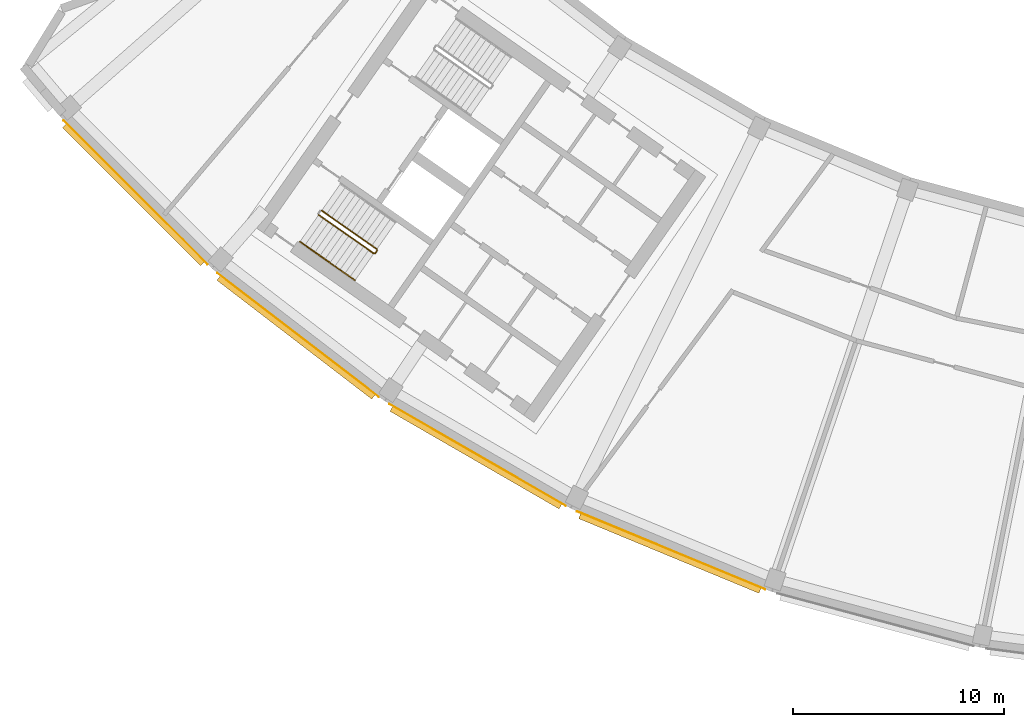
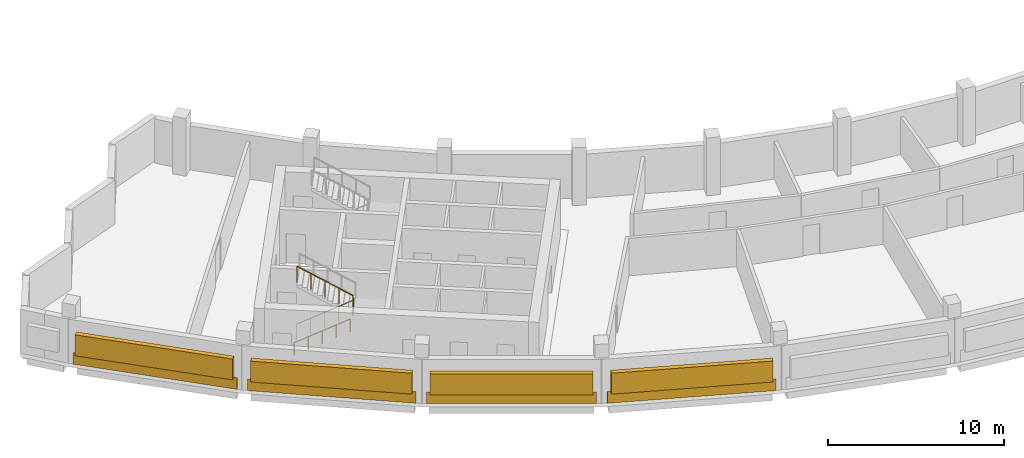
# One storey, part 8 of 11: 4 coverings, 4 shading devices, 3 railings.
"""IFC4 building model written with IfcOpenShell, lengths in metres."""

from ifc_helpers import new_model, si_unit, direction, frame, origin, origin_2d, place, context, subcontext, project, spatial, rectangle, circle, extrude, material, layer, layer_set, type_object, element, save


model = new_model("IFC4")

# Units and contexts
model_context = context("Model", 3, precision=1e-05, world=origin(), true_north=direction((0.0, 1.0)))
body_context = subcontext(model_context, "Body", "Model", "MODEL_VIEW")
ifc_project = project(units=[si_unit("LENGTHUNIT", "METRE"), si_unit("AREAUNIT", "SQUARE_METRE"), si_unit("VOLUMEUNIT", "CUBIC_METRE"), si_unit("PLANEANGLEUNIT", "RADIAN"), si_unit("MASSUNIT", "GRAM", prefix="KILO")], contexts=[model_context])

# Site, building, storey
site_placement = place(None, origin())
site = spatial("IfcSite", under=ifc_project, at=site_placement, CompositionType="ELEMENT")
building_placement = place(site_placement, origin())
building = spatial("IfcBuilding", under=site, at=building_placement, Name="Qamariyya Broadcast Tower", CompositionType="ELEMENT")
storey_placement = place(building_placement, frame((0.0, 0.0, 314.699951171875)))
storey = spatial("IfcBuildingStorey", under=building, at=storey_placement, Name="L76", CompositionType="ELEMENT", Elevation=314.699951171875)

# Railings
ifc_material_1 = material(Name="Painted steel", Category="steel")
railing_type_1 = type_object("IfcRailingType", Name="Stair guard", PredefinedType="GUARDRAIL", material=ifc_material_1)
railing_1_placement = place(storey_placement, frame((-46.624267578125, -56.34765625, 0.166748046875)))
element("IfcRailing", 1, at=railing_1_placement, inside=storey, type_object=railing_type_1, Name="L76 ST-W1 stair guard 1", PredefinedType="GUARDRAIL", context=body_context, shape_type="SweptSolid", body=[
    extrude(circle(Radius=0.02392578125, at=origin_2d()), frame((0.0, 0.0, 1.076171875), z_axis=(0.710204256923, -0.497335411159, 0.498264389913), x_axis=(0.573611290809, 0.819127637829, 0.0)), (0.0, 0.0, 1.0), 3.67919921875),
    extrude(circle(Radius=0.02392578125, at=origin_2d()), frame((2.613037109375, -1.829833984375, 2.9091796875), z_axis=(0.984957024646, 0.172799478008, 0.0), x_axis=(-0.172799478008, 0.984957024646, 0.0)), (0.0, 0.0, 1.0), 0.070556640625),
    extrude(circle(Radius=0.02392578125, at=origin_2d()), frame((2.6826171875, -1.817626953125, 2.9091796875), z_axis=(0.57368046593, 0.819079192149, 0.0), x_axis=(-0.819079192149, 0.57368046593, 0.0)), (0.0, 0.0, 1.0), 0.150146484375),
    extrude(circle(Radius=0.02099609375, at=origin_2d()), origin(), (0.0, 0.0, 1.0), 1.052001953125),
    extrude(circle(Radius=0.02099609375, at=origin_2d()), frame((0.6533203125, -0.45751953125, 0.458251953125)), (0.0, 0.0, 1.0), 1.052001953125),
    extrude(circle(Radius=0.02099609375, at=origin_2d()), frame((1.306640625, -0.9150390625, 0.91650390625)), (0.0, 0.0, 1.0), 1.052001953125),
    extrude(circle(Radius=0.02099609375, at=origin_2d()), frame((1.959716796875, -1.372314453125, 1.375)), (0.0, 0.0, 1.0), 1.052001953125),
    extrude(circle(Radius=0.02099609375, at=origin_2d()), frame((2.613037109375, -1.829833984375, 1.833251953125)), (0.0, 0.0, 1.0), 1.052001953125),
    extrude(circle(Radius=0.02099609375, at=origin_2d()), frame((2.6826171875, -1.817626953125, 1.833251953125)), (0.0, 0.0, 1.0), 1.052001953125),
    extrude(circle(Radius=0.02099609375, at=origin_2d()), frame((2.768798828125, -1.694580078125, 1.833251953125)), (0.0, 0.0, 1.0), 1.052001953125),
])
railing_2_placement = place(storey_placement, frame((-43.867919921875, -57.97265625, 2.166748046875)))
element("IfcRailing", 2, at=railing_2_placement, inside=storey, type_object=railing_type_1, Name="L76 ST-W1 stair guard 2", PredefinedType="GUARDRAIL", context=body_context, shape_type="SweptSolid", body=[
    extrude(circle(Radius=0.02392578125, at=origin_2d()), frame((0.0, 0.0, 1.076171875), z_axis=(-0.710227693972, 0.497285465629, 0.498280832854), x_axis=(-0.573559936391, -0.819163597438, 0.0)), (0.0, 0.0, 1.0), 3.67919921875),
    extrude(circle(Radius=0.02099609375, at=origin_2d()), origin(), (0.0, 0.0, 1.0), 1.052001953125),
    extrude(circle(Radius=0.02099609375, at=origin_2d()), frame((-0.6533203125, 0.45751953125, 0.458251953125)), (0.0, 0.0, 1.0), 1.052001953125),
    extrude(circle(Radius=0.02099609375, at=origin_2d()), frame((-1.306640625, 0.914794921875, 0.91650390625)), (0.0, 0.0, 1.0), 1.052001953125),
    extrude(circle(Radius=0.02099609375, at=origin_2d()), frame((-1.959716796875, 1.3720703125, 1.375)), (0.0, 0.0, 1.0), 1.052001953125),
    extrude(circle(Radius=0.02099609375, at=origin_2d()), frame((-2.613037109375, 1.82958984375, 1.833251953125)), (0.0, 0.0, 1.0), 1.052001953125),
])
ifc_material_2 = material(Name="Stainless steel", Category="steel")
railing_type_2 = type_object("IfcRailingType", Name="Stair handrail", PredefinedType="HANDRAIL", material=ifc_material_2)
railing_3_placement = place(storey_placement, frame((-47.513427734375, -57.617431640625, 0.166748046875)))
element("IfcRailing", 3, at=railing_3_placement, inside=storey, type_object=railing_type_2, Name="L76 ST-W1 stair handrail 1", PredefinedType="HANDRAIL", context=body_context, shape_type="SweptSolid", body=[
    extrude(circle(Radius=0.02392578125, at=origin_2d()), frame((0.0, 0.0, 0.8759765625), z_axis=(0.710204256923, -0.497335411159, 0.498264389913), x_axis=(0.573611290809, 0.819127637829, 0.0)), (0.0, 0.0, 1.0), 3.67919921875),
    extrude(circle(Radius=0.02099609375, at=origin_2d()), origin(), (0.0, 0.0, 1.0), 0.851806640625),
    extrude(circle(Radius=0.02099609375, at=origin_2d()), frame((0.6533203125, -0.45751953125, 0.458251953125)), (0.0, 0.0, 1.0), 0.851806640625),
    extrude(circle(Radius=0.02099609375, at=origin_2d()), frame((1.306640625, -0.9150390625, 0.91650390625)), (0.0, 0.0, 1.0), 0.851806640625),
    extrude(circle(Radius=0.02099609375, at=origin_2d()), frame((1.959716796875, -1.372314453125, 1.375)), (0.0, 0.0, 1.0), 0.851806640625),
    extrude(circle(Radius=0.02099609375, at=origin_2d()), frame((2.613037109375, -1.829833984375, 1.833251953125)), (0.0, 0.0, 1.0), 0.851806640625),
])

# Coverings
ifc_material_3 = material(Name="Glazed terracotta", Category="masonry")
ifc_layer = layer(ifc_material_3, 0.030029296875)
ifc_layer_set = layer_set([ifc_layer], Name="Terracotta cladding panel 30, crown band")
covering_type = type_object("IfcCoveringType", Name="Terracotta cladding panel 30, crown band", PredefinedType="CLADDING", material=ifc_layer_set)
for number, where, z_axis, x_axis, name in (
    (4, (-55.293701171875, -55.293701171875, 0.0), (0.0, 0.0, 1.0), (0.707106781187, -0.707106781187, 0.0), "e-cl-L76-01"),
    (5, (-47.603515625, -62.0380859375, 0.0), (0.0, 0.0, 1.0), (0.793353340291, -0.608761429009, 0.0), "e-cl-L76-02"),
    (6, (-39.0986328125, -67.720703125, 0.0), (0.0, 0.0, 1.0), (0.866025403784, -0.5, 0.0), "e-cl-L76-03"),
    (7, (-29.9248046875, -72.244873046875, 0.0), (0.0, 0.0, 1.0), (0.923879532511, -0.382683432365, 0.0), "e-cl-L76-04"),
):
    element("IfcCovering", number, at=place(storey_placement, frame(where, z_axis=z_axis, x_axis=x_axis)), inside=storey, type_object=covering_type, Name=name, PredefinedType="CLADDING", context=body_context, shape_type="SweptSolid", body=[
        extrude(rectangle(XDim=9.648681640625, YDim=0.030029296875, at=origin_2d()), origin(), (0.0, 0.0, 1.0), 0.800048828125),
    ])

# Shading devices
shading_device_type = type_object("IfcShadingDeviceType", Name="Terracotta louvre bank", PredefinedType="USERDEFINED", material=ifc_material_3)
for number, where, z_axis, x_axis, name in (
    (8, (-55.38916015625, -55.38916015625, 0.80029296875), (0.0, 0.0, 1.0), (0.707106781187, -0.707106781187, 0.0), "e-lv-L76-01"),
    (9, (-47.685546875, -62.145263671875, 0.80029296875), (0.0, 0.0, 1.0), (0.793353340291, -0.608761429009, 0.0), "e-lv-L76-02"),
    (10, (-39.166015625, -67.837646484375, 0.80029296875), (0.0, 0.0, 1.0), (0.866025403784, -0.5, 0.0), "e-lv-L76-03"),
    (11, (-29.9765625, -72.36962890625, 0.80029296875), (0.0, 0.0, 1.0), (0.923879532511, -0.382683432365, 0.0), "e-lv-L76-04"),
):
    element("IfcShadingDevice", number, at=place(storey_placement, frame(where, z_axis=z_axis, x_axis=x_axis)), inside=storey, type_object=shading_device_type, Name=name, ObjectType="LOUVRE", PredefinedType="USERDEFINED", context=body_context, shape_type="SweptSolid", body=[
        extrude(rectangle(XDim=9.248779296875, YDim=0.300048828125, at=origin_2d()), origin(), (0.0, 0.0, 1.0), 1.449951171875),
    ])

save(model, "model.ifc")
